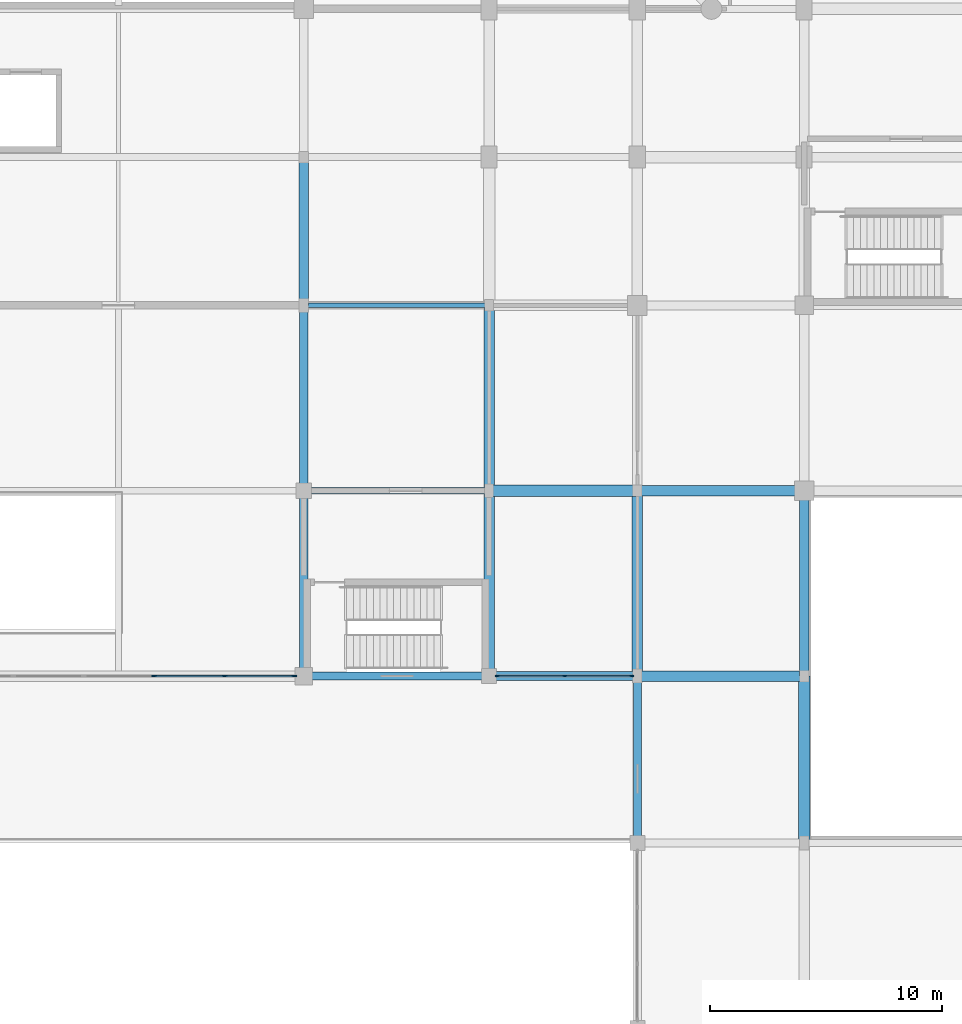
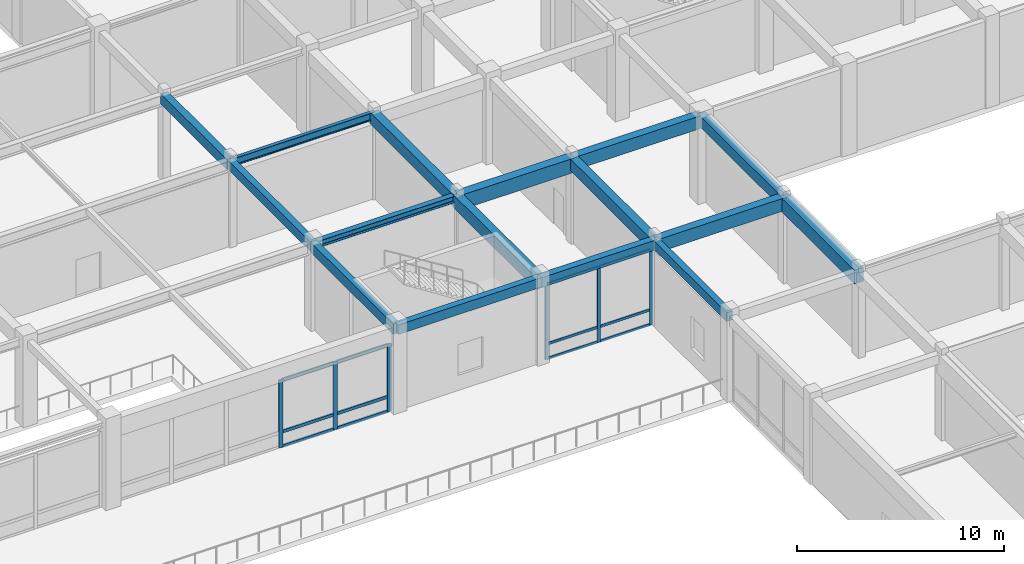
# One storey, part 9 of 36: 18 members, 16 beams, 2 elements without a shape of their own.
"""IFC4 building model written with IfcOpenShell, lengths in metres."""

from ifc_helpers import new_model, si_unit, direction, frame, origin, origin_2d, place, context, subcontext, project, spatial, rectangle, i_section, extrude, material, material_profile, profile_set, type_object, element, aggregate, save


model = new_model("IFC4")

# Units and contexts
model_context = context("Model", 3, precision=1e-05, world=origin(), true_north=direction((0.0, 1.0)))
body_context = subcontext(model_context, "Body", "Model", "MODEL_VIEW")
ifc_project = project(units=[si_unit("LENGTHUNIT", "METRE"), si_unit("AREAUNIT", "SQUARE_METRE"), si_unit("VOLUMEUNIT", "CUBIC_METRE"), si_unit("PLANEANGLEUNIT", "RADIAN"), si_unit("MASSUNIT", "GRAM", prefix="KILO")], contexts=[model_context])

# Site, building, storey
site_placement = place(None, origin())
site = spatial("IfcSite", under=ifc_project, at=site_placement, CompositionType="ELEMENT")
building_placement = place(site_placement, origin())
building = spatial("IfcBuilding", under=site, at=building_placement, Name="Vellmiral Cinema and Media Centre", CompositionType="ELEMENT")
storey_placement = place(building_placement, frame((0.0, 0.0, 5.39990234375)))
storey = spatial("IfcBuildingStorey", under=building, at=storey_placement, Name="L01", CompositionType="ELEMENT", Elevation=5.39990234375)

# Beams
ifc_material_1 = material(Name="Concrete C40/50", Category="concrete")
ifc_material_profile_1 = material_profile(ifc_material_1, rectangle(XDim=0.35009765625, YDim=0.550048828125, at=origin_2d()), Name="RC 350x550")
ifc_profile_set_1 = profile_set([ifc_material_profile_1], Name="Concrete C40/50")
beam_type_1 = type_object("IfcBeamType", Name="BM-RC-350x550", PredefinedType="BEAM", material=ifc_profile_set_1)
beam_1_placement = place(storey_placement, frame((102.39990234375, 51.199951171875, 4.760009765625), z_axis=(0.0, 1.0, 0.0), x_axis=(-1.0, 0.0, 0.0)))
element("IfcBeam", 1, at=beam_1_placement, inside=storey, type_object=beam_type_1, Name="Grid Beam L01-Y265", PredefinedType="BEAM", context=body_context, shape_type="SweptSolid", body=[
    extrude(rectangle(XDim=0.35009765625, YDim=0.550048828125, at=origin_2d()), origin(), (0.0, 0.0, 1.0), 8.0),
])
ifc_material_2 = material(Name="Concrete C40/50", Category="concrete")
ifc_material_profile_2 = material_profile(ifc_material_2, rectangle(XDim=0.35009765625, YDim=0.60009765625, at=origin_2d()), Name="RC 350x600")
ifc_profile_set_2 = profile_set([ifc_material_profile_2], Name="Concrete C40/50")
beam_type_2 = type_object("IfcBeamType", Name="BM-RC-350x600", PredefinedType="BEAM", material=ifc_profile_set_2)
beam_2_placement = place(storey_placement, frame((102.39990234375, 43.199951171875, 4.735107421875), z_axis=(0.0, 1.0, 0.0), x_axis=(-1.0, 0.0, 0.0)))
element("IfcBeam", 2, at=beam_2_placement, inside=storey, type_object=beam_type_2, Name="Grid Beam L01-Y264", PredefinedType="BEAM", context=body_context, shape_type="SweptSolid", body=[
    extrude(rectangle(XDim=0.35009765625, YDim=0.60009765625, at=origin_2d()), origin(), (0.0, 0.0, 1.0), 8.0),
])
ifc_material_3 = material(Name="Concrete C40/50", Category="concrete")
ifc_material_profile_3 = material_profile(ifc_material_3, rectangle(XDim=0.39990234375, YDim=0.60009765625, at=origin_2d()), Name="RC 400x600")
ifc_profile_set_3 = profile_set([ifc_material_profile_3], Name="Concrete C40/50")
beam_type_3 = type_object("IfcBeamType", Name="BM-RC-400x600", PredefinedType="BEAM", material=ifc_profile_set_3)
beam_3_placement = place(storey_placement, frame((102.39990234375, 59.199951171875, 4.735107421875), z_axis=(0.0, 1.0, 0.0), x_axis=(-1.0, 0.0, 0.0)))
element("IfcBeam", 3, at=beam_3_placement, inside=storey, type_object=beam_type_3, Name="Grid Beam L01-Y266", PredefinedType="BEAM", context=body_context, shape_type="SweptSolid", body=[
    extrude(rectangle(XDim=0.39990234375, YDim=0.60009765625, at=origin_2d()), origin(), (0.0, 0.0, 1.0), 6.400146484375),
])
ifc_material_4 = material(Name="Concrete C40/50", Category="concrete")
ifc_material_profile_4 = material_profile(ifc_material_4, rectangle(XDim=0.39990234375, YDim=0.64990234375, at=origin_2d()), Name="RC 400x650")
ifc_profile_set_4 = profile_set([ifc_material_profile_4], Name="Concrete C40/50")
beam_type_4 = type_object("IfcBeamType", Name="BM-RC-400x650", PredefinedType="BEAM", material=ifc_profile_set_4)
beam_4_placement = place(storey_placement, frame((124.0, 43.199951171875, 4.710205078125), z_axis=(0.0, 1.0, 0.0), x_axis=(-1.0, 0.0, 0.0)))
element("IfcBeam", 4, at=beam_4_placement, inside=storey, type_object=beam_type_4, Name="Grid Beam L01-Y295", PredefinedType="BEAM", context=body_context, shape_type="SweptSolid", body=[
    extrude(rectangle(XDim=0.39990234375, YDim=0.64990234375, at=origin_2d()), origin(), (0.0, 0.0, 1.0), 8.0),
])
ifc_material_5 = material(Name="Concrete C40/50", Category="concrete")
ifc_material_profile_5 = material_profile(ifc_material_5, rectangle(XDim=0.449951171875, YDim=0.699951171875, at=origin_2d()), Name="RC 450x700")
ifc_profile_set_5 = profile_set([ifc_material_profile_5], Name="Concrete C40/50")
beam_type_5 = type_object("IfcBeamType", Name="BM-RC-450x700", PredefinedType="BEAM", material=ifc_profile_set_5)
for number, where, z_axis, x_axis, name in (
    (5, (110.39990234375, 51.199951171875, 4.68505859375), (0.0, 1.0, 0.0), (-1.0, 0.0, 0.0), "Grid Beam L01-Y272"),
    (6, (116.800048828125, 43.199951171875, 4.68505859375), (0.0, 1.0, 0.0), (-1.0, 0.0, 0.0), "Grid Beam L01-Y283"),
):
    element("IfcBeam", number, at=place(storey_placement, frame(where, z_axis=z_axis, x_axis=x_axis)), inside=storey, type_object=beam_type_5, Name=name, PredefinedType="BEAM", context=body_context, shape_type="SweptSolid", body=[
        extrude(rectangle(XDim=0.449951171875, YDim=0.699951171875, at=origin_2d()), origin(), (0.0, 0.0, 1.0), 8.0),
    ])
ifc_material_6 = material(Name="Concrete C40/50", Category="concrete")
ifc_material_profile_6 = material_profile(ifc_material_6, rectangle(XDim=0.449951171875, YDim=0.75, at=origin_2d()), Name="RC 450x750")
ifc_profile_set_6 = profile_set([ifc_material_profile_6], Name="Concrete C40/50")
beam_type_6 = type_object("IfcBeamType", Name="BM-RC-450x750", PredefinedType="BEAM", material=ifc_profile_set_6)
for number, where, z_axis, x_axis, name in (
    (7, (116.800048828125, 43.199951171875, 4.66015625), (1.0, 0.0, 0.0), (0.0, 1.0, 0.0), "Grid Beam L01-X042"),
    (8, (116.800048828125, 51.199951171875, 4.66015625), (1.0, 0.0, 0.0), (0.0, 1.0, 0.0), "Grid Beam L01-X053"),
):
    element("IfcBeam", number, at=place(storey_placement, frame(where, z_axis=z_axis, x_axis=x_axis)), inside=storey, type_object=beam_type_6, Name=name, PredefinedType="BEAM", context=body_context, shape_type="SweptSolid", body=[
        extrude(rectangle(XDim=0.449951171875, YDim=0.75, at=origin_2d()), origin(), (0.0, 0.0, 1.0), 7.199951171875),
    ])
beam_5_placement = place(storey_placement, frame((110.39990234375, 43.199951171875, 4.66015625), z_axis=(0.0, 1.0, 0.0), x_axis=(-1.0, 0.0, 0.0)))
element("IfcBeam", 9, at=beam_5_placement, inside=storey, type_object=beam_type_6, Name="Grid Beam L01-Y271", PredefinedType="BEAM", context=body_context, shape_type="SweptSolid", body=[
    extrude(rectangle(XDim=0.449951171875, YDim=0.75, at=origin_2d()), origin(), (0.0, 0.0, 1.0), 8.0),
])
ifc_material_7 = material(Name="Concrete C40/50", Category="concrete")
ifc_material_profile_7 = material_profile(ifc_material_7, rectangle(XDim=0.5, YDim=0.800048828125, at=origin_2d()), Name="RC 500x800")
ifc_profile_set_7 = profile_set([ifc_material_profile_7], Name="Concrete C40/50")
beam_type_7 = type_object("IfcBeamType", Name="BM-RC-500x800", PredefinedType="BEAM", material=ifc_profile_set_7)
beam_6_placement = place(storey_placement, frame((124.0, 36.0, 4.635009765625), z_axis=(0.0, 1.0, 0.0), x_axis=(-1.0, 0.0, 0.0)))
element("IfcBeam", 10, at=beam_6_placement, inside=storey, type_object=beam_type_7, Name="Grid Beam L01-Y294", PredefinedType="BEAM", context=body_context, shape_type="SweptSolid", body=[
    extrude(rectangle(XDim=0.5, YDim=0.800048828125, at=origin_2d()), origin(), (0.0, 0.0, 1.0), 7.199951171875),
])
ifc_material_8 = material(Name="Concrete C40/50", Category="concrete")
ifc_material_profile_8 = material_profile(ifc_material_8, rectangle(XDim=0.5, YDim=0.85009765625, at=origin_2d()), Name="RC 500x850")
ifc_profile_set_8 = profile_set([ifc_material_profile_8], Name="Concrete C40/50")
beam_type_8 = type_object("IfcBeamType", Name="BM-RC-500x850", PredefinedType="BEAM", material=ifc_profile_set_8)
beam_7_placement = place(storey_placement, frame((110.39990234375, 51.199951171875, 4.610107421875), z_axis=(1.0, 0.0, 0.0), x_axis=(0.0, 1.0, 0.0)))
element("IfcBeam", 11, at=beam_7_placement, inside=storey, type_object=beam_type_8, Name="Grid Beam L01-X052", PredefinedType="BEAM", context=body_context, shape_type="SweptSolid", body=[
    extrude(rectangle(XDim=0.5, YDim=0.85009765625, at=origin_2d()), origin(), (0.0, 0.0, 1.0), 6.400146484375),
])

# Curtain wall, members
ifc_material_9 = material(Name="Thermally Broken Aluminium and Triple Glazing", Category="aluminium")
curtain_wall_type_1 = type_object("IfcCurtainWallType", Name="CW-POD-GALLERY", PredefinedType="USERDEFINED", material=ifc_material_9)
curtain_wall_1_placement = place(storey_placement, origin())
curtain_wall_1 = element("IfcCurtainWall", 12, at=curtain_wall_1_placement, inside=storey, type_object=curtain_wall_type_1, Name="Curtain Wall L01-B016", ObjectType="STICK CURTAIN WALL", PredefinedType="USERDEFINED")
ifc_material_10 = material(Name="Thermally Broken Anodised Aluminium", Category="aluminium")
ifc_material_profile_9 = material_profile(ifc_material_10, rectangle(XDim=0.070068359375, YDim=0.179931640625, at=origin_2d()), Name="MULL 70x180")
ifc_profile_set_9 = profile_set([ifc_material_profile_9], Name="Thermally Broken Anodised Aluminium")
member_type_1 = type_object("IfcMemberType", Name="CWM-70x180", PredefinedType="MULLION", material=ifc_profile_set_9)
member_1_placement = place(storey_placement, frame((110.760009765625, 43.199951171875, 0.0), z_axis=(0.0, 0.0, 1.0), x_axis=(0.0, 1.0, 0.0)))
member_1 = element("IfcMember", 13, at=member_1_placement, type_object=member_type_1, Name="CW-04 mullion 1", PredefinedType="MULLION", context=body_context, shape_type="SweptSolid", body=[
    extrude(rectangle(XDim=0.070068359375, YDim=0.179931640625, at=origin_2d()), origin(), (0.0, 0.0, 1.0), 4.440185546875),
])
member_2_placement = place(storey_placement, frame((113.66259765625, 43.199951171875, 0.0), z_axis=(0.0, 0.0, 1.0), x_axis=(0.0, 1.0, 0.0)))
member_2 = element("IfcMember", 14, at=member_2_placement, type_object=member_type_1, Name="CW-04 mullion 2", PredefinedType="MULLION", context=body_context, shape_type="SweptSolid", body=[
    extrude(rectangle(XDim=0.070068359375, YDim=0.179931640625, at=origin_2d()), origin(), (0.0, 0.0, 1.0), 4.440185546875),
])
member_3_placement = place(storey_placement, frame((116.56494140625, 43.199951171875, 0.0), z_axis=(0.0, 0.0, 1.0), x_axis=(0.0, 1.0, 0.0)))
member_3 = element("IfcMember", 15, at=member_3_placement, type_object=member_type_1, Name="CW-04 mullion 3", PredefinedType="MULLION", context=body_context, shape_type="SweptSolid", body=[
    extrude(rectangle(XDim=0.070068359375, YDim=0.179931640625, at=origin_2d()), origin(), (0.0, 0.0, 1.0), 4.440185546875),
])

ifc_material_11 = material(Name="Thermally Broken Aluminium and Triple Glazing", Category="aluminium")
curtain_wall_type_2 = type_object("IfcCurtainWallType", Name="CW-FOYER-ARCH", PredefinedType="USERDEFINED", material=ifc_material_11)
curtain_wall_2_placement = place(storey_placement, origin())
curtain_wall_2 = element("IfcCurtainWall", 16, at=curtain_wall_2_placement, inside=storey, type_object=curtain_wall_type_2, Name="Curtain Wall L01-B014", ObjectType="STICK CURTAIN WALL", PredefinedType="USERDEFINED")
ifc_material_12 = material(Name="Thermally Broken Anodised Aluminium", Category="aluminium")
ifc_material_profile_10 = material_profile(ifc_material_12, rectangle(XDim=0.080078125, YDim=0.219970703125, at=origin_2d()), Name="MULL 80x220")
ifc_profile_set_10 = profile_set([ifc_material_profile_10], Name="Thermally Broken Anodised Aluminium")
member_type_2 = type_object("IfcMemberType", Name="CWM-80x220", PredefinedType="MULLION", material=ifc_profile_set_10)
member_4_placement = place(storey_placement, frame((95.945068359375, 43.199951171875, 0.0), z_axis=(0.0, 0.0, 1.0), x_axis=(0.0, 1.0, 0.0)))
member_4 = element("IfcMember", 17, at=member_4_placement, type_object=member_type_2, Name="CW-01 mullion 4", PredefinedType="MULLION", context=body_context, shape_type="SweptSolid", body=[
    extrude(rectangle(XDim=0.080078125, YDim=0.219970703125, at=origin_2d()), origin(), (0.0, 0.0, 1.0), 3.97509765625),
])
member_5_placement = place(storey_placement, frame((98.985107421875, 43.199951171875, 0.0), z_axis=(0.0, 0.0, 1.0), x_axis=(0.0, 1.0, 0.0)))
member_5 = element("IfcMember", 18, at=member_5_placement, type_object=member_type_2, Name="CW-01 mullion 5", PredefinedType="MULLION", context=body_context, shape_type="SweptSolid", body=[
    extrude(rectangle(XDim=0.080078125, YDim=0.219970703125, at=origin_2d()), origin(), (0.0, 0.0, 1.0), 3.97509765625),
])
member_6_placement = place(storey_placement, frame((101.985107421875, 43.199951171875, 0.0), z_axis=(0.0, 0.0, 1.0), x_axis=(0.0, 1.0, 0.0)))
member_6 = element("IfcMember", 19, at=member_6_placement, type_object=member_type_2, Name="CW-01 mullion 6", PredefinedType="MULLION", context=body_context, shape_type="SweptSolid", body=[
    extrude(rectangle(XDim=0.080078125, YDim=0.219970703125, at=origin_2d()), origin(), (0.0, 0.0, 1.0), 3.97509765625),
])

# Member
ifc_material_13 = material(Name="Thermally Broken Anodised Aluminium", Category="aluminium")
ifc_material_profile_11 = material_profile(ifc_material_13, rectangle(XDim=0.070068359375, YDim=0.14990234375, at=origin_2d()), Name="MULL 70x150")
ifc_profile_set_11 = profile_set([ifc_material_profile_11], Name="Thermally Broken Anodised Aluminium")
member_type_3 = type_object("IfcMemberType", Name="CWT-70x150", PredefinedType="USERDEFINED", material=ifc_profile_set_11)
member_7_placement = place(storey_placement, frame((110.794921875, 43.199951171875, 0.03515625), z_axis=(1.0, 0.0, 0.0), x_axis=(0.0, 1.0, 0.0)))
member_7 = element("IfcMember", 20, at=member_7_placement, type_object=member_type_3, Name="CW-04 transom 1.1", ObjectType="TRANSOM", PredefinedType="USERDEFINED", context=body_context, shape_type="SweptSolid", body=[
    extrude(rectangle(XDim=0.070068359375, YDim=0.14990234375, at=origin_2d()), origin(), (0.0, 0.0, 1.0), 2.83251953125),
])

member_8_placement = place(storey_placement, frame((110.794921875, 43.199951171875, 0.900146484375), z_axis=(1.0, 0.0, 0.0), x_axis=(0.0, 1.0, 0.0)))
member_8 = element("IfcMember", 21, at=member_8_placement, type_object=member_type_3, Name="CW-04 transom 1.2", ObjectType="TRANSOM", PredefinedType="USERDEFINED", context=body_context, shape_type="SweptSolid", body=[
    extrude(rectangle(XDim=0.070068359375, YDim=0.14990234375, at=origin_2d()), origin(), (0.0, 0.0, 1.0), 2.83251953125),
])

member_9_placement = place(storey_placement, frame((110.794921875, 43.199951171875, 4.405029296875), z_axis=(1.0, 0.0, 0.0), x_axis=(0.0, 1.0, 0.0)))
member_9 = element("IfcMember", 22, at=member_9_placement, type_object=member_type_3, Name="CW-04 transom 1.3", ObjectType="TRANSOM", PredefinedType="USERDEFINED", context=body_context, shape_type="SweptSolid", body=[
    extrude(rectangle(XDim=0.070068359375, YDim=0.14990234375, at=origin_2d()), origin(), (0.0, 0.0, 1.0), 2.83251953125),
])

member_10_placement = place(storey_placement, frame((113.697509765625, 43.199951171875, 0.03515625), z_axis=(1.0, 0.0, 0.0), x_axis=(0.0, 1.0, 0.0)))
member_10 = element("IfcMember", 23, at=member_10_placement, type_object=member_type_3, Name="CW-04 transom 2.1", ObjectType="TRANSOM", PredefinedType="USERDEFINED", context=body_context, shape_type="SweptSolid", body=[
    extrude(rectangle(XDim=0.070068359375, YDim=0.14990234375, at=origin_2d()), origin(), (0.0, 0.0, 1.0), 2.83251953125),
])

member_11_placement = place(storey_placement, frame((113.697509765625, 43.199951171875, 0.900146484375), z_axis=(1.0, 0.0, 0.0), x_axis=(0.0, 1.0, 0.0)))
member_11 = element("IfcMember", 24, at=member_11_placement, type_object=member_type_3, Name="CW-04 transom 2.2", ObjectType="TRANSOM", PredefinedType="USERDEFINED", context=body_context, shape_type="SweptSolid", body=[
    extrude(rectangle(XDim=0.070068359375, YDim=0.14990234375, at=origin_2d()), origin(), (0.0, 0.0, 1.0), 2.83251953125),
])

member_12_placement = place(storey_placement, frame((113.697509765625, 43.199951171875, 4.405029296875), z_axis=(1.0, 0.0, 0.0), x_axis=(0.0, 1.0, 0.0)))
member_12 = element("IfcMember", 25, at=member_12_placement, type_object=member_type_3, Name="CW-04 transom 2.3", ObjectType="TRANSOM", PredefinedType="USERDEFINED", context=body_context, shape_type="SweptSolid", body=[
    extrude(rectangle(XDim=0.070068359375, YDim=0.14990234375, at=origin_2d()), origin(), (0.0, 0.0, 1.0), 2.83251953125),
])

aggregate(curtain_wall_1, [member_1, member_2, member_3, member_7, member_8, member_9, member_10, member_11, member_12])

ifc_material_14 = material(Name="Thermally Broken Anodised Aluminium", Category="aluminium")
ifc_material_profile_12 = material_profile(ifc_material_14, rectangle(XDim=0.080078125, YDim=0.179931640625, at=origin_2d()), Name="MULL 80x180")
ifc_profile_set_12 = profile_set([ifc_material_profile_12], Name="Thermally Broken Anodised Aluminium")
member_type_4 = type_object("IfcMemberType", Name="CWT-80x180", PredefinedType="USERDEFINED", material=ifc_profile_set_12)
member_13_placement = place(storey_placement, frame((95.985107421875, 43.199951171875, 0.0400390625), z_axis=(1.0, 0.0, 0.0), x_axis=(0.0, 1.0, 0.0)))
member_13 = element("IfcMember", 26, at=member_13_placement, type_object=member_type_4, Name="CW-01 transom 4.1", ObjectType="TRANSOM", PredefinedType="USERDEFINED", context=body_context, shape_type="SweptSolid", body=[
    extrude(rectangle(XDim=0.080078125, YDim=0.179931640625, at=origin_2d()), origin(), (0.0, 0.0, 1.0), 2.9599609375),
])

member_14_placement = place(storey_placement, frame((95.985107421875, 43.199951171875, 0.900146484375), z_axis=(1.0, 0.0, 0.0), x_axis=(0.0, 1.0, 0.0)))
member_14 = element("IfcMember", 27, at=member_14_placement, type_object=member_type_4, Name="CW-01 transom 4.2", ObjectType="TRANSOM", PredefinedType="USERDEFINED", context=body_context, shape_type="SweptSolid", body=[
    extrude(rectangle(XDim=0.080078125, YDim=0.179931640625, at=origin_2d()), origin(), (0.0, 0.0, 1.0), 2.9599609375),
])

member_15_placement = place(storey_placement, frame((95.985107421875, 43.199951171875, 3.93505859375), z_axis=(1.0, 0.0, 0.0), x_axis=(0.0, 1.0, 0.0)))
member_15 = element("IfcMember", 28, at=member_15_placement, type_object=member_type_4, Name="CW-01 transom 4.3", ObjectType="TRANSOM", PredefinedType="USERDEFINED", context=body_context, shape_type="SweptSolid", body=[
    extrude(rectangle(XDim=0.080078125, YDim=0.179931640625, at=origin_2d()), origin(), (0.0, 0.0, 1.0), 2.9599609375),
])

member_16_placement = place(storey_placement, frame((99.02490234375, 43.199951171875, 0.0400390625), z_axis=(1.0, 0.0, 0.0), x_axis=(0.0, 1.0, 0.0)))
member_16 = element("IfcMember", 29, at=member_16_placement, type_object=member_type_4, Name="CW-01 transom 5.1", ObjectType="TRANSOM", PredefinedType="USERDEFINED", context=body_context, shape_type="SweptSolid", body=[
    extrude(rectangle(XDim=0.080078125, YDim=0.179931640625, at=origin_2d()), origin(), (0.0, 0.0, 1.0), 2.920166015625),
])

member_17_placement = place(storey_placement, frame((99.02490234375, 43.199951171875, 0.900146484375), z_axis=(1.0, 0.0, 0.0), x_axis=(0.0, 1.0, 0.0)))
member_17 = element("IfcMember", 30, at=member_17_placement, type_object=member_type_4, Name="CW-01 transom 5.2", ObjectType="TRANSOM", PredefinedType="USERDEFINED", context=body_context, shape_type="SweptSolid", body=[
    extrude(rectangle(XDim=0.080078125, YDim=0.179931640625, at=origin_2d()), origin(), (0.0, 0.0, 1.0), 2.920166015625),
])

member_18_placement = place(storey_placement, frame((99.02490234375, 43.199951171875, 3.93505859375), z_axis=(1.0, 0.0, 0.0), x_axis=(0.0, 1.0, 0.0)))
member_18 = element("IfcMember", 31, at=member_18_placement, type_object=member_type_4, Name="CW-01 transom 5.3", ObjectType="TRANSOM", PredefinedType="USERDEFINED", context=body_context, shape_type="SweptSolid", body=[
    extrude(rectangle(XDim=0.080078125, YDim=0.179931640625, at=origin_2d()), origin(), (0.0, 0.0, 1.0), 2.920166015625),
])

aggregate(curtain_wall_2, [member_4, member_5, member_6, member_13, member_14, member_15, member_16, member_17, member_18])

# Beams
ifc_material_15 = material(Name="Steel S355", Category="steel")
ifc_material_profile_13 = material_profile(ifc_material_15, i_section(OverallWidth=0.300048828125, OverallDepth=0.389892578125, WebThickness=0.010986328125, FlangeThickness=0.01904296875, FilletRadius=0.027099609375, at=origin_2d()), Name="HEA 400")
ifc_profile_set_13 = profile_set([ifc_material_profile_13], Name="Steel S355")
beam_type_9 = type_object("IfcBeamType", Name="SBM-HEA400", PredefinedType="BEAM", material=ifc_profile_set_13)
beam_8_placement = place(storey_placement, frame((102.39990234375, 51.199951171875, 4.840087890625), z_axis=(1.0, 0.0, 0.0), x_axis=(0.0, 1.0, 0.0)))
element("IfcBeam", 32, at=beam_8_placement, inside=storey, type_object=beam_type_9, Name="Grid Beam L01-X051", PredefinedType="BEAM", context=body_context, shape_type="SweptSolid", body=[
    extrude(i_section(OverallWidth=0.300048828125, OverallDepth=0.389892578125, WebThickness=0.010986328125, FlangeThickness=0.01904296875, FilletRadius=0.027099609375, at=origin_2d()), origin(), (0.0, 0.0, 1.0), 8.0),
])
ifc_material_16 = material(Name="Steel S355", Category="steel")
ifc_material_profile_14 = material_profile(ifc_material_16, i_section(OverallWidth=0.18994140625, OverallDepth=0.449951171875, WebThickness=0.009521484375, FlangeThickness=0.0146484375, FilletRadius=0.02099609375, at=origin_2d()), Name="IPE 450")
ifc_profile_set_14 = profile_set([ifc_material_profile_14], Name="Steel S355")
beam_type_10 = type_object("IfcBeamType", Name="SBM-IPE450", PredefinedType="BEAM", material=ifc_profile_set_14)
beam_9_placement = place(storey_placement, frame((102.39990234375, 59.199951171875, 4.81005859375), z_axis=(1.0, 0.0, 0.0), x_axis=(0.0, 1.0, 0.0)))
element("IfcBeam", 33, at=beam_9_placement, inside=storey, type_object=beam_type_10, Name="Grid Beam L01-X065", PredefinedType="BEAM", context=body_context, shape_type="SweptSolid", body=[
    extrude(i_section(OverallWidth=0.18994140625, OverallDepth=0.449951171875, WebThickness=0.009521484375, FlangeThickness=0.0146484375, FilletRadius=0.02099609375, at=origin_2d()), origin(), (0.0, 0.0, 1.0), 8.0),
])
ifc_material_17 = material(Name="Concrete C40/50", Category="concrete")
ifc_material_profile_15 = material_profile(ifc_material_17, rectangle(XDim=0.35009765625, YDim=0.56005859375, at=origin_2d()), Name="RC 350x560")
ifc_profile_set_15 = profile_set([ifc_material_profile_15], Name="Concrete C40/50")
beam_type_11 = type_object("IfcBeamType", Name="SPD-RC-350x560", PredefinedType="SPANDREL", material=ifc_profile_set_15)
beam_10_placement = place(storey_placement, frame((102.39990234375, 43.199951171875, 4.755126953125), z_axis=(1.0, 0.0, 0.0), x_axis=(0.0, 1.0, 0.0)))
element("IfcBeam", 34, at=beam_10_placement, inside=storey, type_object=beam_type_11, Name="Grid Beam L01-X040", PredefinedType="SPANDREL", context=body_context, shape_type="SweptSolid", body=[
    extrude(rectangle(XDim=0.35009765625, YDim=0.56005859375, at=origin_2d()), origin(), (0.0, 0.0, 1.0), 8.0),
])
ifc_material_18 = material(Name="Vosges Red Sandstone Masonry", Category="masonry")
ifc_material_profile_16 = material_profile(ifc_material_18, rectangle(XDim=0.340087890625, YDim=0.52001953125, at=origin_2d()), Name="SAND 340x520")
ifc_profile_set_16 = profile_set([ifc_material_profile_16], Name="Vosges Red Sandstone Masonry")
beam_type_12 = type_object("IfcBeamType", Name="SPD-SAND-340x520", PredefinedType="SPANDREL", material=ifc_profile_set_16)
beam_11_placement = place(storey_placement, frame((116.800048828125, 36.0, 4.775146484375), z_axis=(0.0, 1.0, 0.0), x_axis=(-1.0, 0.0, 0.0)))
element("IfcBeam", 35, at=beam_11_placement, inside=storey, type_object=beam_type_12, Name="Grid Beam L01-Y282", PredefinedType="SPANDREL", context=body_context, shape_type="SweptSolid", body=[
    extrude(rectangle(XDim=0.340087890625, YDim=0.52001953125, at=origin_2d()), origin(), (0.0, 0.0, 1.0), 7.199951171875),
])
ifc_material_19 = material(Name="Vosges Red Sandstone Masonry", Category="masonry")
ifc_material_profile_17 = material_profile(ifc_material_19, rectangle(XDim=0.3798828125, YDim=0.580078125, at=origin_2d()), Name="SAND 380x580")
ifc_profile_set_17 = profile_set([ifc_material_profile_17], Name="Vosges Red Sandstone Masonry")
beam_type_13 = type_object("IfcBeamType", Name="SPD-SAND-380x580", PredefinedType="SPANDREL", material=ifc_profile_set_17)
beam_12_placement = place(storey_placement, frame((110.39990234375, 43.199951171875, 4.7451171875), z_axis=(1.0, 0.0, 0.0), x_axis=(0.0, 1.0, 0.0)))
element("IfcBeam", 36, at=beam_12_placement, inside=storey, type_object=beam_type_13, Name="Grid Beam L01-X041", PredefinedType="SPANDREL", context=body_context, shape_type="SweptSolid", body=[
    extrude(rectangle(XDim=0.3798828125, YDim=0.580078125, at=origin_2d()), origin(), (0.0, 0.0, 1.0), 6.400146484375),
])

save(model, "model.ifc")
